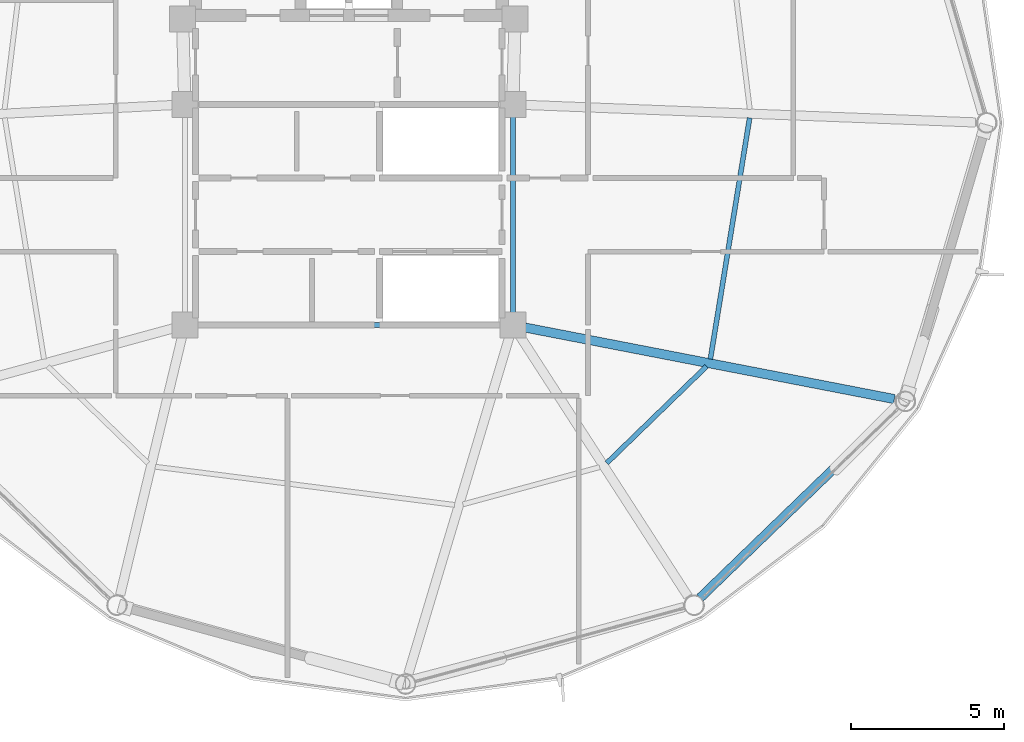
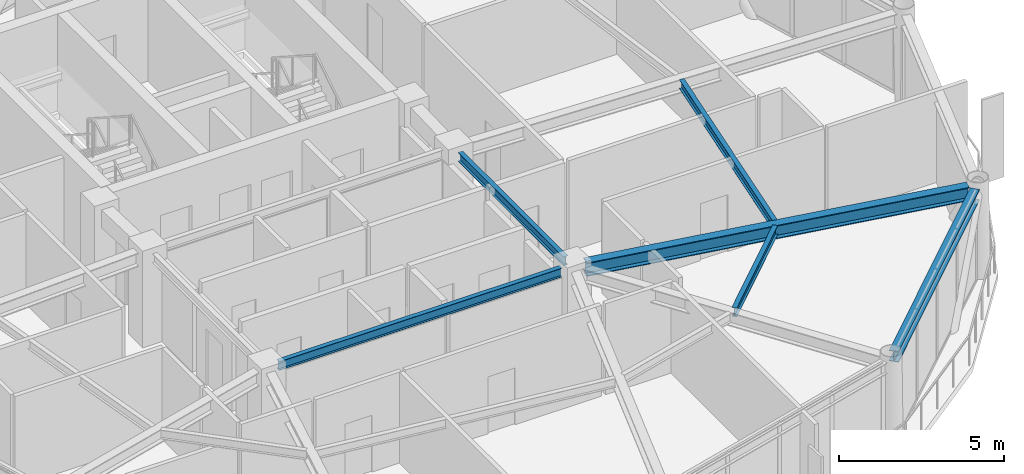
# One storey, part 9 of 26: 6 beams.
"""IFC4 building model written with IfcOpenShell, lengths in metres."""

from ifc_helpers import new_model, si_unit, direction, frame, origin, origin_2d, place, context, subcontext, project, spatial, i_section, extrude, material, material_profile, profile_set, type_object, element, save


model = new_model("IFC4")

# Units and contexts
model_context = context("Model", 3, precision=1e-05, world=origin(), true_north=direction((0.0, 1.0)))
body_context = subcontext(model_context, "Body", "Model", "MODEL_VIEW")
ifc_project = project(units=[si_unit("LENGTHUNIT", "METRE"), si_unit("AREAUNIT", "SQUARE_METRE"), si_unit("VOLUMEUNIT", "CUBIC_METRE"), si_unit("PLANEANGLEUNIT", "RADIAN"), si_unit("MASSUNIT", "GRAM", prefix="KILO")], contexts=[model_context])

# Site, building, storey
site_placement = place(None, origin())
site = spatial("IfcSite", under=ifc_project, at=site_placement, CompositionType="ELEMENT")
building_placement = place(site_placement, origin())
building = spatial("IfcBuilding", under=site, at=building_placement, Name="Varnakorn Sky Granary", CompositionType="ELEMENT")
storey_placement = place(building_placement, frame((0.0, 0.0, 222.0)))
storey = spatial("IfcBuildingStorey", under=building, at=storey_placement, Name="L56", CompositionType="ELEMENT", Elevation=222.0)

# Beams
ifc_material = material(Name="Steel S355JR", Category="steel")
ifc_material_profile_1 = material_profile(ifc_material, i_section(OverallWidth=0.300048828125, OverallDepth=0.5, WebThickness=0.014404296875, FlangeThickness=0.028076171875, at=origin_2d()), Name="HE 500 B")
ifc_profile_set_1 = profile_set([ifc_material_profile_1], Name="Steel S355JR")
beam_type_1 = type_object("IfcBeamType", Name="BM-RAD-Z4", PredefinedType="BEAM", material=ifc_profile_set_1)
beam_1_placement = place(storey_placement, frame((8.74755859375, -6.677001953125, 3.110107421875), z_axis=(0.981748943404, -0.19018152414, 0.0), x_axis=(0.19018152414, 0.981748943404, 0.0)))
element("IfcBeam", 1, at=beam_1_placement, inside=storey, type_object=beam_type_1, Name="Radial Floor Girder RG12 L56", PredefinedType="BEAM", context=body_context, shape_type="SweptSolid", body=[
    extrude(i_section(OverallWidth=0.300048828125, OverallDepth=0.5, WebThickness=0.014404296875, FlangeThickness=0.028076171875, at=origin_2d()), origin(), (0.0, 0.0, 1.0), 12.269775390625),
])
ifc_material_profile_2 = material_profile(ifc_material, i_section(OverallWidth=0.159912109375, OverallDepth=0.330078125, WebThickness=0.007568359375, FlangeThickness=0.011474609375, at=origin_2d()), Name="IPE 330")
ifc_profile_set_2 = profile_set([ifc_material_profile_2], Name="Steel S355JR")
beam_type_2 = type_object("IfcBeamType", Name="BM-SEC-Z4", PredefinedType="BEAM", material=ifc_profile_set_2)
beam_2_placement = place(storey_placement, frame((11.416748046875, -11.095703125, 3.195068359375), z_axis=(0.717933030936, 0.696112177088, 0.0), x_axis=(-0.696112177088, 0.717933030936, 0.0)))
element("IfcBeam", 2, at=beam_2_placement, inside=storey, type_object=beam_type_2, Name="Secondary Floor Chord Beam MSB11 L56", PredefinedType="BEAM", context=body_context, shape_type="SweptSolid", body=[
    extrude(i_section(OverallWidth=0.159912109375, OverallDepth=0.330078125, WebThickness=0.007568359375, FlangeThickness=0.011474609375, at=origin_2d()), origin(), (0.0, 0.0, 1.0), 4.53125),
])
beam_3_placement = place(storey_placement, frame((14.79296875, -7.70556640625, 3.195068359375), z_axis=(0.160681848569, 0.98700625304, 0.0), x_axis=(-0.98700625304, 0.160681848569, 0.0)))
element("IfcBeam", 3, at=beam_3_placement, inside=storey, type_object=beam_type_2, Name="Secondary Floor Chord Beam MSB12 L56", PredefinedType="BEAM", context=body_context, shape_type="SweptSolid", body=[
    extrude(i_section(OverallWidth=0.159912109375, OverallDepth=0.330078125, WebThickness=0.007568359375, FlangeThickness=0.011474609375, at=origin_2d()), origin(), (0.0, 0.0, 1.0), 7.96923828125),
])
beam_4_placement = place(storey_placement, frame((8.35009765625, 0.195068359375, 3.195068359375), z_axis=(0.0, -1.0, 0.0), x_axis=(1.0, 0.0, 0.0)))
element("IfcBeam", 4, at=beam_4_placement, inside=storey, type_object=beam_type_2, Name="Core Spine Framing Beam 4 L56", PredefinedType="BEAM", context=body_context, shape_type="SweptSolid", body=[
    extrude(i_section(OverallWidth=0.159912109375, OverallDepth=0.330078125, WebThickness=0.007568359375, FlangeThickness=0.011474609375, at=origin_2d()), origin(), (0.0, 0.0, 1.0), 6.39013671875),
])
beam_5_placement = place(storey_placement, frame((-1.945068359375, -6.60009765625, 3.195068359375), z_axis=(1.0, 0.0, 0.0), x_axis=(0.0, 1.0, 0.0)))
element("IfcBeam", 5, at=beam_5_placement, inside=storey, type_object=beam_type_2, Name="Core Spine Framing Beam 6 L56", PredefinedType="BEAM", context=body_context, shape_type="SweptSolid", body=[
    extrude(i_section(OverallWidth=0.159912109375, OverallDepth=0.330078125, WebThickness=0.007568359375, FlangeThickness=0.011474609375, at=origin_2d()), origin(), (0.0, 0.0, 1.0), 9.89013671875),
])
ifc_material_profile_3 = material_profile(ifc_material, i_section(OverallWidth=0.300048828125, OverallDepth=0.39990234375, WebThickness=0.013427734375, FlangeThickness=0.02392578125, at=origin_2d()), Name="HE 400 B")
ifc_profile_set_3 = profile_set([ifc_material_profile_3], Name="Steel S355JR")
beam_type_3 = type_object("IfcBeamType", Name="BM-SPD-Z4", PredefinedType="SPANDREL", material=ifc_profile_set_3)
beam_6_placement = place(storey_placement, frame((14.4599609375, -15.49169921875, 3.159912109375), z_axis=(0.718987920349, 0.695022568261, 0.0), x_axis=(-0.695022568261, 0.718987920349, 0.0)))
element("IfcBeam", 6, at=beam_6_placement, inside=storey, type_object=beam_type_3, Name="Perimeter Spandrel Ring Beam RB11 L56", PredefinedType="SPANDREL", context=body_context, shape_type="SweptSolid", body=[
    extrude(i_section(OverallWidth=0.300048828125, OverallDepth=0.39990234375, WebThickness=0.013427734375, FlangeThickness=0.02392578125, at=origin_2d()), origin(), (0.0, 0.0, 1.0), 8.924072265625),
])

save(model, "model.ifc")
